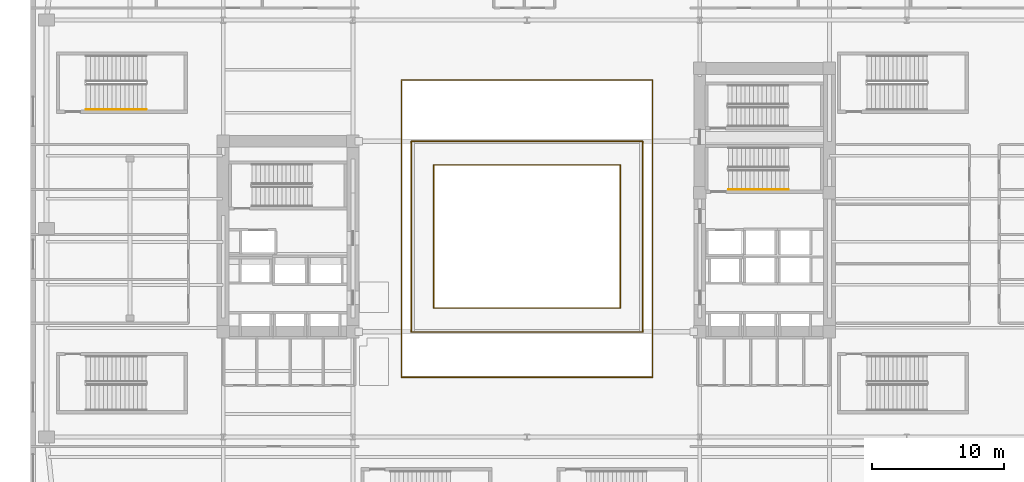
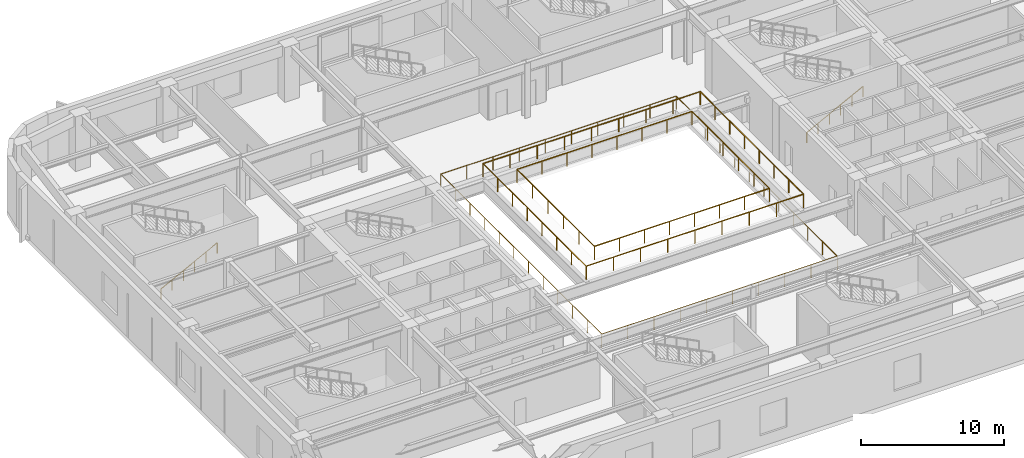
# One storey, part 16 of 21: 8 railings.
"""IFC4 building model written with IfcOpenShell, lengths in metres."""

from ifc_helpers import new_model, si_unit, direction, frame, origin, origin_2d, place, context, subcontext, project, spatial, circle, extrude, material, type_object, element, save


model = new_model("IFC4")

# Units and contexts
model_context = context("Model", 3, precision=1e-05, world=origin(), true_north=direction((0.0, 1.0)))
body_context = subcontext(model_context, "Body", "Model", "MODEL_VIEW")
ifc_project = project(units=[si_unit("LENGTHUNIT", "METRE"), si_unit("AREAUNIT", "SQUARE_METRE"), si_unit("VOLUMEUNIT", "CUBIC_METRE"), si_unit("PLANEANGLEUNIT", "RADIAN"), si_unit("MASSUNIT", "GRAM", prefix="KILO")], contexts=[model_context])

# Site, building, storey
site_placement = place(None, origin())
site = spatial("IfcSite", under=ifc_project, at=site_placement, CompositionType="ELEMENT")
building_placement = place(site_placement, origin())
building = spatial("IfcBuilding", under=site, at=building_placement, Name="Kolvaren Arena Tower", CompositionType="ELEMENT")
storey_placement = place(building_placement, frame((0.0, 0.0, 18.0)))
storey = spatial("IfcBuildingStorey", under=building, at=storey_placement, Name="L03", CompositionType="ELEMENT", Elevation=18.0)

# Railings
ifc_material_1 = material(Name="Heavy-duty crowd steel guardrail", Category="steel")
railing_type_1 = type_object("IfcRailingType", Name="GUARD-ARN-110", PredefinedType="GUARDRAIL", material=ifc_material_1)
railing_1_placement = place(storey_placement, frame((28.02001953125, 16.02001953125, 0.0)))
element("IfcRailing", 1, at=railing_1_placement, inside=storey, type_object=railing_type_1, Name="Arena Concourse Well Perimeter Guard (L03)", PredefinedType="GUARDRAIL", context=body_context, shape_type="SweptSolid", body=[
    extrude(circle(Radius=0.02734375, at=origin_2d()), frame((0.0, 0.0, 1.12255859375), z_axis=(1.0, 0.0, 0.0), x_axis=(0.0, 1.0, 0.0)), (0.0, 0.0, 1.0), 18.9599609375),
    extrude(circle(Radius=0.02734375, at=origin_2d()), frame((18.9599609375, 0.0, 1.12255859375), z_axis=(0.0, 1.0, 0.0), x_axis=(-1.0, 0.0, 0.0)), (0.0, 0.0, 1.0), 22.4599609375),
    extrude(circle(Radius=0.0224609375, at=origin_2d()), origin(), (0.0, 0.0, 1.0), 1.094970703125),
    extrude(circle(Radius=0.0224609375, at=origin_2d()), frame((2.106689453125, 0.0, 0.0)), (0.0, 0.0, 1.0), 1.094970703125),
    extrude(circle(Radius=0.0224609375, at=origin_2d()), frame((4.21337890625, 0.0, 0.0)), (0.0, 0.0, 1.0), 1.094970703125),
    extrude(circle(Radius=0.0224609375, at=origin_2d()), frame((6.320068359375, 0.0, 0.0)), (0.0, 0.0, 1.0), 1.094970703125),
    extrude(circle(Radius=0.0224609375, at=origin_2d()), frame((8.4267578125, 0.0, 0.0)), (0.0, 0.0, 1.0), 1.094970703125),
    extrude(circle(Radius=0.0224609375, at=origin_2d()), frame((10.533203125, 0.0, 0.0)), (0.0, 0.0, 1.0), 1.094970703125),
    extrude(circle(Radius=0.0224609375, at=origin_2d()), frame((12.639892578125, 0.0, 0.0)), (0.0, 0.0, 1.0), 1.094970703125),
    extrude(circle(Radius=0.0224609375, at=origin_2d()), frame((14.74658203125, 0.0, 0.0)), (0.0, 0.0, 1.0), 1.094970703125),
    extrude(circle(Radius=0.0224609375, at=origin_2d()), frame((16.853271484375, 0.0, 0.0)), (0.0, 0.0, 1.0), 1.094970703125),
    extrude(circle(Radius=0.0224609375, at=origin_2d()), frame((18.9599609375, 0.0, 0.0)), (0.0, 0.0, 1.0), 1.094970703125),
    extrude(circle(Radius=0.0224609375, at=origin_2d()), frame((18.9599609375, 2.041748046875, 0.0)), (0.0, 0.0, 1.0), 1.094970703125),
    extrude(circle(Radius=0.0224609375, at=origin_2d()), frame((18.9599609375, 4.083740234375, 0.0)), (0.0, 0.0, 1.0), 1.094970703125),
    extrude(circle(Radius=0.0224609375, at=origin_2d()), frame((18.9599609375, 6.12548828125, 0.0)), (0.0, 0.0, 1.0), 1.094970703125),
    extrude(circle(Radius=0.0224609375, at=origin_2d()), frame((18.9599609375, 8.167236328125, 0.0)), (0.0, 0.0, 1.0), 1.094970703125),
    extrude(circle(Radius=0.0224609375, at=origin_2d()), frame((18.9599609375, 10.208984375, 0.0)), (0.0, 0.0, 1.0), 1.094970703125),
    extrude(circle(Radius=0.0224609375, at=origin_2d()), frame((18.9599609375, 12.2509765625, 0.0)), (0.0, 0.0, 1.0), 1.094970703125),
    extrude(circle(Radius=0.0224609375, at=origin_2d()), frame((18.9599609375, 14.292724609375, 0.0)), (0.0, 0.0, 1.0), 1.094970703125),
    extrude(circle(Radius=0.0224609375, at=origin_2d()), frame((18.9599609375, 16.33447265625, 0.0)), (0.0, 0.0, 1.0), 1.094970703125),
    extrude(circle(Radius=0.0224609375, at=origin_2d()), frame((18.9599609375, 18.376220703125, 0.0)), (0.0, 0.0, 1.0), 1.094970703125),
    extrude(circle(Radius=0.0224609375, at=origin_2d()), frame((18.9599609375, 20.418212890625, 0.0)), (0.0, 0.0, 1.0), 1.094970703125),
    extrude(circle(Radius=0.0224609375, at=origin_2d()), frame((18.9599609375, 22.4599609375, 0.0)), (0.0, 0.0, 1.0), 1.094970703125),
])
railing_2_placement = place(storey_placement, frame((46.97998046875, 38.47998046875, 0.0)))
element("IfcRailing", 2, at=railing_2_placement, inside=storey, type_object=railing_type_1, Name="Arena Concourse Well Perimeter Guard (L03)", PredefinedType="GUARDRAIL", context=body_context, shape_type="SweptSolid", body=[
    extrude(circle(Radius=0.02734375, at=origin_2d()), frame((0.0, 0.0, 1.12255859375), z_axis=(-1.0, 0.0, 0.0), x_axis=(0.0, -1.0, 0.0)), (0.0, 0.0, 1.0), 18.9599609375),
    extrude(circle(Radius=0.02734375, at=origin_2d()), frame((-18.9599609375, 0.0, 1.12255859375), z_axis=(0.0, -1.0, 0.0), x_axis=(1.0, 0.0, 0.0)), (0.0, 0.0, 1.0), 22.4599609375),
    extrude(circle(Radius=0.0224609375, at=origin_2d()), origin(), (0.0, 0.0, 1.0), 1.094970703125),
    extrude(circle(Radius=0.0224609375, at=origin_2d()), frame((-2.106689453125, 0.0, 0.0)), (0.0, 0.0, 1.0), 1.094970703125),
    extrude(circle(Radius=0.0224609375, at=origin_2d()), frame((-4.21337890625, 0.0, 0.0)), (0.0, 0.0, 1.0), 1.094970703125),
    extrude(circle(Radius=0.0224609375, at=origin_2d()), frame((-6.320068359375, 0.0, 0.0)), (0.0, 0.0, 1.0), 1.094970703125),
    extrude(circle(Radius=0.0224609375, at=origin_2d()), frame((-8.4267578125, 0.0, 0.0)), (0.0, 0.0, 1.0), 1.094970703125),
    extrude(circle(Radius=0.0224609375, at=origin_2d()), frame((-10.533203125, 0.0, 0.0)), (0.0, 0.0, 1.0), 1.094970703125),
    extrude(circle(Radius=0.0224609375, at=origin_2d()), frame((-12.639892578125, 0.0, 0.0)), (0.0, 0.0, 1.0), 1.094970703125),
    extrude(circle(Radius=0.0224609375, at=origin_2d()), frame((-14.74658203125, 0.0, 0.0)), (0.0, 0.0, 1.0), 1.094970703125),
    extrude(circle(Radius=0.0224609375, at=origin_2d()), frame((-16.853271484375, 0.0, 0.0)), (0.0, 0.0, 1.0), 1.094970703125),
    extrude(circle(Radius=0.0224609375, at=origin_2d()), frame((-18.9599609375, 0.0, 0.0)), (0.0, 0.0, 1.0), 1.094970703125),
    extrude(circle(Radius=0.0224609375, at=origin_2d()), frame((-18.9599609375, -2.041748046875, 0.0)), (0.0, 0.0, 1.0), 1.094970703125),
    extrude(circle(Radius=0.0224609375, at=origin_2d()), frame((-18.9599609375, -4.083740234375, 0.0)), (0.0, 0.0, 1.0), 1.094970703125),
    extrude(circle(Radius=0.0224609375, at=origin_2d()), frame((-18.9599609375, -6.12548828125, 0.0)), (0.0, 0.0, 1.0), 1.094970703125),
    extrude(circle(Radius=0.0224609375, at=origin_2d()), frame((-18.9599609375, -8.167236328125, 0.0)), (0.0, 0.0, 1.0), 1.094970703125),
    extrude(circle(Radius=0.0224609375, at=origin_2d()), frame((-18.9599609375, -10.208984375, 0.0)), (0.0, 0.0, 1.0), 1.094970703125),
    extrude(circle(Radius=0.0224609375, at=origin_2d()), frame((-18.9599609375, -12.2509765625, 0.0)), (0.0, 0.0, 1.0), 1.094970703125),
    extrude(circle(Radius=0.0224609375, at=origin_2d()), frame((-18.9599609375, -14.292724609375, 0.0)), (0.0, 0.0, 1.0), 1.094970703125),
    extrude(circle(Radius=0.0224609375, at=origin_2d()), frame((-18.9599609375, -16.33447265625, 0.0)), (0.0, 0.0, 1.0), 1.094970703125),
    extrude(circle(Radius=0.0224609375, at=origin_2d()), frame((-18.9599609375, -18.376220703125, 0.0)), (0.0, 0.0, 1.0), 1.094970703125),
    extrude(circle(Radius=0.0224609375, at=origin_2d()), frame((-18.9599609375, -20.418212890625, 0.0)), (0.0, 0.0, 1.0), 1.094970703125),
    extrude(circle(Radius=0.0224609375, at=origin_2d()), frame((-18.9599609375, -22.4599609375, 0.0)), (0.0, 0.0, 1.0), 1.094970703125),
])
railing_3_placement = place(storey_placement, frame((30.449951171875, 21.25, 3.449951171875)))
element("IfcRailing", 3, at=railing_3_placement, inside=storey, type_object=railing_type_1, Name="Arena Bowl In Guard (L03)", PredefinedType="GUARDRAIL", context=body_context, shape_type="SweptSolid", body=[
    extrude(circle(Radius=0.02734375, at=origin_2d()), frame((0.0, 0.0, 1.12255859375), z_axis=(1.0, 0.0, 0.0), x_axis=(0.0, 1.0, 0.0)), (0.0, 0.0, 1.0), 14.10009765625),
    extrude(circle(Radius=0.02734375, at=origin_2d()), frame((14.10009765625, 0.0, 1.12255859375), z_axis=(0.0, 1.0, 0.0), x_axis=(-1.0, 0.0, 0.0)), (0.0, 0.0, 1.0), 10.800048828125),
    extrude(circle(Radius=0.0224609375, at=origin_2d()), origin(), (0.0, 0.0, 1.0), 1.094970703125),
    extrude(circle(Radius=0.0224609375, at=origin_2d()), frame((2.014404296875, 0.0, 0.0)), (0.0, 0.0, 1.0), 1.094970703125),
    extrude(circle(Radius=0.0224609375, at=origin_2d()), frame((4.028564453125, 0.0, 0.0)), (0.0, 0.0, 1.0), 1.094970703125),
    extrude(circle(Radius=0.0224609375, at=origin_2d()), frame((6.04296875, 0.0, 0.0)), (0.0, 0.0, 1.0), 1.094970703125),
    extrude(circle(Radius=0.0224609375, at=origin_2d()), frame((8.05712890625, 0.0, 0.0)), (0.0, 0.0, 1.0), 1.094970703125),
    extrude(circle(Radius=0.0224609375, at=origin_2d()), frame((10.071533203125, 0.0, 0.0)), (0.0, 0.0, 1.0), 1.094970703125),
    extrude(circle(Radius=0.0224609375, at=origin_2d()), frame((12.085693359375, 0.0, 0.0)), (0.0, 0.0, 1.0), 1.094970703125),
    extrude(circle(Radius=0.0224609375, at=origin_2d()), frame((14.10009765625, 0.0, 0.0)), (0.0, 0.0, 1.0), 1.094970703125),
    extrude(circle(Radius=0.0224609375, at=origin_2d()), frame((14.10009765625, 2.159912109375, 0.0)), (0.0, 0.0, 1.0), 1.094970703125),
    extrude(circle(Radius=0.0224609375, at=origin_2d()), frame((14.10009765625, 4.320068359375, 0.0)), (0.0, 0.0, 1.0), 1.094970703125),
    extrude(circle(Radius=0.0224609375, at=origin_2d()), frame((14.10009765625, 6.47998046875, 0.0)), (0.0, 0.0, 1.0), 1.094970703125),
    extrude(circle(Radius=0.0224609375, at=origin_2d()), frame((14.10009765625, 8.64013671875, 0.0)), (0.0, 0.0, 1.0), 1.094970703125),
    extrude(circle(Radius=0.0224609375, at=origin_2d()), frame((14.10009765625, 10.800048828125, 0.0)), (0.0, 0.0, 1.0), 1.094970703125),
])
railing_4_placement = place(storey_placement, frame((44.550048828125, 32.050048828125, 3.449951171875)))
element("IfcRailing", 4, at=railing_4_placement, inside=storey, type_object=railing_type_1, Name="Arena Bowl In Guard (L03)", PredefinedType="GUARDRAIL", context=body_context, shape_type="SweptSolid", body=[
    extrude(circle(Radius=0.02734375, at=origin_2d()), frame((0.0, 0.0, 1.12255859375), z_axis=(-1.0, 0.0, 0.0), x_axis=(0.0, -1.0, 0.0)), (0.0, 0.0, 1.0), 14.10009765625),
    extrude(circle(Radius=0.02734375, at=origin_2d()), frame((-14.10009765625, 0.0, 1.12255859375), z_axis=(0.0, -1.0, 0.0), x_axis=(1.0, 0.0, 0.0)), (0.0, 0.0, 1.0), 10.800048828125),
    extrude(circle(Radius=0.0224609375, at=origin_2d()), origin(), (0.0, 0.0, 1.0), 1.094970703125),
    extrude(circle(Radius=0.0224609375, at=origin_2d()), frame((-2.014404296875, 0.0, 0.0)), (0.0, 0.0, 1.0), 1.094970703125),
    extrude(circle(Radius=0.0224609375, at=origin_2d()), frame((-4.028564453125, 0.0, 0.0)), (0.0, 0.0, 1.0), 1.094970703125),
    extrude(circle(Radius=0.0224609375, at=origin_2d()), frame((-6.04296875, 0.0, 0.0)), (0.0, 0.0, 1.0), 1.094970703125),
    extrude(circle(Radius=0.0224609375, at=origin_2d()), frame((-8.05712890625, 0.0, 0.0)), (0.0, 0.0, 1.0), 1.094970703125),
    extrude(circle(Radius=0.0224609375, at=origin_2d()), frame((-10.071533203125, 0.0, 0.0)), (0.0, 0.0, 1.0), 1.094970703125),
    extrude(circle(Radius=0.0224609375, at=origin_2d()), frame((-12.085693359375, 0.0, 0.0)), (0.0, 0.0, 1.0), 1.094970703125),
    extrude(circle(Radius=0.0224609375, at=origin_2d()), frame((-14.10009765625, 0.0, 0.0)), (0.0, 0.0, 1.0), 1.094970703125),
    extrude(circle(Radius=0.0224609375, at=origin_2d()), frame((-14.10009765625, -2.159912109375, 0.0)), (0.0, 0.0, 1.0), 1.094970703125),
    extrude(circle(Radius=0.0224609375, at=origin_2d()), frame((-14.10009765625, -4.320068359375, 0.0)), (0.0, 0.0, 1.0), 1.094970703125),
    extrude(circle(Radius=0.0224609375, at=origin_2d()), frame((-14.10009765625, -6.47998046875, 0.0)), (0.0, 0.0, 1.0), 1.094970703125),
    extrude(circle(Radius=0.0224609375, at=origin_2d()), frame((-14.10009765625, -8.64013671875, 0.0)), (0.0, 0.0, 1.0), 1.094970703125),
    extrude(circle(Radius=0.0224609375, at=origin_2d()), frame((-14.10009765625, -10.800048828125, 0.0)), (0.0, 0.0, 1.0), 1.094970703125),
])
railing_5_placement = place(storey_placement, frame((28.75, 19.449951171875, 3.449951171875)))
element("IfcRailing", 5, at=railing_5_placement, inside=storey, type_object=railing_type_1, Name="Arena Bowl Out Guard (L03)", PredefinedType="GUARDRAIL", context=body_context, shape_type="SweptSolid", body=[
    extrude(circle(Radius=0.02734375, at=origin_2d()), frame((0.0, 0.0, 1.12255859375), z_axis=(1.0, 0.0, 0.0), x_axis=(0.0, 1.0, 0.0)), (0.0, 0.0, 1.0), 17.5),
    extrude(circle(Radius=0.02734375, at=origin_2d()), frame((17.5, 0.0, 1.12255859375), z_axis=(0.0, 1.0, 0.0), x_axis=(-1.0, 0.0, 0.0)), (0.0, 0.0, 1.0), 14.400146484375),
    extrude(circle(Radius=0.0224609375, at=origin_2d()), origin(), (0.0, 0.0, 1.0), 1.094970703125),
    extrude(circle(Radius=0.0224609375, at=origin_2d()), frame((2.1875, 0.0, 0.0)), (0.0, 0.0, 1.0), 1.094970703125),
    extrude(circle(Radius=0.0224609375, at=origin_2d()), frame((4.375, 0.0, 0.0)), (0.0, 0.0, 1.0), 1.094970703125),
    extrude(circle(Radius=0.0224609375, at=origin_2d()), frame((6.5625, 0.0, 0.0)), (0.0, 0.0, 1.0), 1.094970703125),
    extrude(circle(Radius=0.0224609375, at=origin_2d()), frame((8.75, 0.0, 0.0)), (0.0, 0.0, 1.0), 1.094970703125),
    extrude(circle(Radius=0.0224609375, at=origin_2d()), frame((10.9375, 0.0, 0.0)), (0.0, 0.0, 1.0), 1.094970703125),
    extrude(circle(Radius=0.0224609375, at=origin_2d()), frame((13.125, 0.0, 0.0)), (0.0, 0.0, 1.0), 1.094970703125),
    extrude(circle(Radius=0.0224609375, at=origin_2d()), frame((15.3125, 0.0, 0.0)), (0.0, 0.0, 1.0), 1.094970703125),
    extrude(circle(Radius=0.0224609375, at=origin_2d()), frame((17.5, 0.0, 0.0)), (0.0, 0.0, 1.0), 1.094970703125),
    extrude(circle(Radius=0.0224609375, at=origin_2d()), frame((17.5, 2.05712890625, 0.0)), (0.0, 0.0, 1.0), 1.094970703125),
    extrude(circle(Radius=0.0224609375, at=origin_2d()), frame((17.5, 4.1142578125, 0.0)), (0.0, 0.0, 1.0), 1.094970703125),
    extrude(circle(Radius=0.0224609375, at=origin_2d()), frame((17.5, 6.17138671875, 0.0)), (0.0, 0.0, 1.0), 1.094970703125),
    extrude(circle(Radius=0.0224609375, at=origin_2d()), frame((17.5, 8.228759765625, 0.0)), (0.0, 0.0, 1.0), 1.094970703125),
    extrude(circle(Radius=0.0224609375, at=origin_2d()), frame((17.5, 10.285888671875, 0.0)), (0.0, 0.0, 1.0), 1.094970703125),
    extrude(circle(Radius=0.0224609375, at=origin_2d()), frame((17.5, 12.343017578125, 0.0)), (0.0, 0.0, 1.0), 1.094970703125),
    extrude(circle(Radius=0.0224609375, at=origin_2d()), frame((17.5, 14.400146484375, 0.0)), (0.0, 0.0, 1.0), 1.094970703125),
])
railing_6_placement = place(storey_placement, frame((46.25, 33.85009765625, 3.449951171875)))
element("IfcRailing", 6, at=railing_6_placement, inside=storey, type_object=railing_type_1, Name="Arena Bowl Out Guard (L03)", PredefinedType="GUARDRAIL", context=body_context, shape_type="SweptSolid", body=[
    extrude(circle(Radius=0.02734375, at=origin_2d()), frame((0.0, 0.0, 1.12255859375), z_axis=(-1.0, 0.0, 0.0), x_axis=(0.0, -1.0, 0.0)), (0.0, 0.0, 1.0), 17.5),
    extrude(circle(Radius=0.02734375, at=origin_2d()), frame((-17.5, 0.0, 1.12255859375), z_axis=(0.0, -1.0, 0.0), x_axis=(1.0, 0.0, 0.0)), (0.0, 0.0, 1.0), 14.400146484375),
    extrude(circle(Radius=0.0224609375, at=origin_2d()), origin(), (0.0, 0.0, 1.0), 1.094970703125),
    extrude(circle(Radius=0.0224609375, at=origin_2d()), frame((-2.1875, 0.0, 0.0)), (0.0, 0.0, 1.0), 1.094970703125),
    extrude(circle(Radius=0.0224609375, at=origin_2d()), frame((-4.375, 0.0, 0.0)), (0.0, 0.0, 1.0), 1.094970703125),
    extrude(circle(Radius=0.0224609375, at=origin_2d()), frame((-6.5625, 0.0, 0.0)), (0.0, 0.0, 1.0), 1.094970703125),
    extrude(circle(Radius=0.0224609375, at=origin_2d()), frame((-8.75, 0.0, 0.0)), (0.0, 0.0, 1.0), 1.094970703125),
    extrude(circle(Radius=0.0224609375, at=origin_2d()), frame((-10.9375, 0.0, 0.0)), (0.0, 0.0, 1.0), 1.094970703125),
    extrude(circle(Radius=0.0224609375, at=origin_2d()), frame((-13.125, 0.0, 0.0)), (0.0, 0.0, 1.0), 1.094970703125),
    extrude(circle(Radius=0.0224609375, at=origin_2d()), frame((-15.3125, 0.0, 0.0)), (0.0, 0.0, 1.0), 1.094970703125),
    extrude(circle(Radius=0.0224609375, at=origin_2d()), frame((-17.5, 0.0, 0.0)), (0.0, 0.0, 1.0), 1.094970703125),
    extrude(circle(Radius=0.0224609375, at=origin_2d()), frame((-17.5, -2.05712890625, 0.0)), (0.0, 0.0, 1.0), 1.094970703125),
    extrude(circle(Radius=0.0224609375, at=origin_2d()), frame((-17.5, -4.1142578125, 0.0)), (0.0, 0.0, 1.0), 1.094970703125),
    extrude(circle(Radius=0.0224609375, at=origin_2d()), frame((-17.5, -6.17138671875, 0.0)), (0.0, 0.0, 1.0), 1.094970703125),
    extrude(circle(Radius=0.0224609375, at=origin_2d()), frame((-17.5, -8.228759765625, 0.0)), (0.0, 0.0, 1.0), 1.094970703125),
    extrude(circle(Radius=0.0224609375, at=origin_2d()), frame((-17.5, -10.285888671875, 0.0)), (0.0, 0.0, 1.0), 1.094970703125),
    extrude(circle(Radius=0.0224609375, at=origin_2d()), frame((-17.5, -12.343017578125, 0.0)), (0.0, 0.0, 1.0), 1.094970703125),
    extrude(circle(Radius=0.0224609375, at=origin_2d()), frame((-17.5, -14.400146484375, 0.0)), (0.0, 0.0, 1.0), 1.094970703125),
])
ifc_material_2 = material(Name="Brushed stainless steel handrail", Category="steel")
railing_type_2 = type_object("IfcRailingType", Name="HRAIL-900", PredefinedType="HANDRAIL", material=ifc_material_2)
for number, where, name in (
    (7, (52.719970703125, 30.199951171875, 0.166748046875), "L03 ST-E1 stair handrail 1"),
    (8, (4.199951171875, 36.25, 0.166748046875), "L03 ST-A5 stair handrail 1"),
):
    element("IfcRailing", number, at=place(storey_placement, frame(where)), inside=storey, type_object=railing_type_2, Name=name, PredefinedType="HANDRAIL", context=body_context, shape_type="SweptSolid", body=[
        extrude(circle(Radius=0.02392578125, at=origin_2d()), frame((0.0, 0.0, 0.8759765625), z_axis=(0.889257211316, 0.0, 0.457407490234), x_axis=(0.0, 1.0, 0.0)), (0.0, 0.0, 1.0), 5.10107421875),
        extrude(circle(Radius=0.02099609375, at=origin_2d()), origin(), (0.0, 0.0, 1.0), 0.851806640625),
        extrude(circle(Radius=0.02099609375, at=origin_2d()), frame((0.9072265625, 0.0, 0.466552734375)), (0.0, 0.0, 1.0), 0.851806640625),
        extrude(circle(Radius=0.02099609375, at=origin_2d()), frame((1.814453125, 0.0, 0.933349609375)), (0.0, 0.0, 1.0), 0.851806640625),
        extrude(circle(Radius=0.02099609375, at=origin_2d()), frame((2.7216796875, 0.0, 1.39990234375)), (0.0, 0.0, 1.0), 0.851806640625),
        extrude(circle(Radius=0.02099609375, at=origin_2d()), frame((3.62890625, 0.0, 1.86669921875)), (0.0, 0.0, 1.0), 0.851806640625),
        extrude(circle(Radius=0.02099609375, at=origin_2d()), frame((4.5361328125, 0.0, 2.333251953125)), (0.0, 0.0, 1.0), 0.851806640625),
    ])

save(model, "model.ifc")
